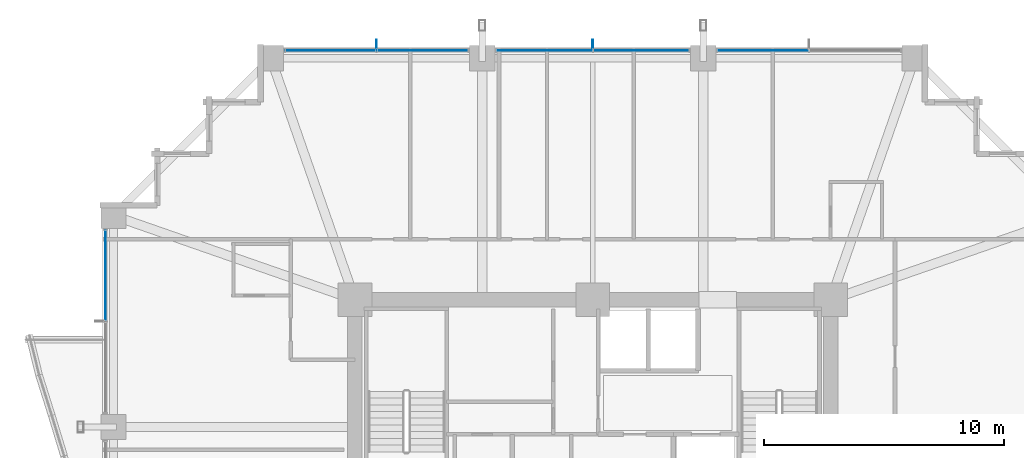
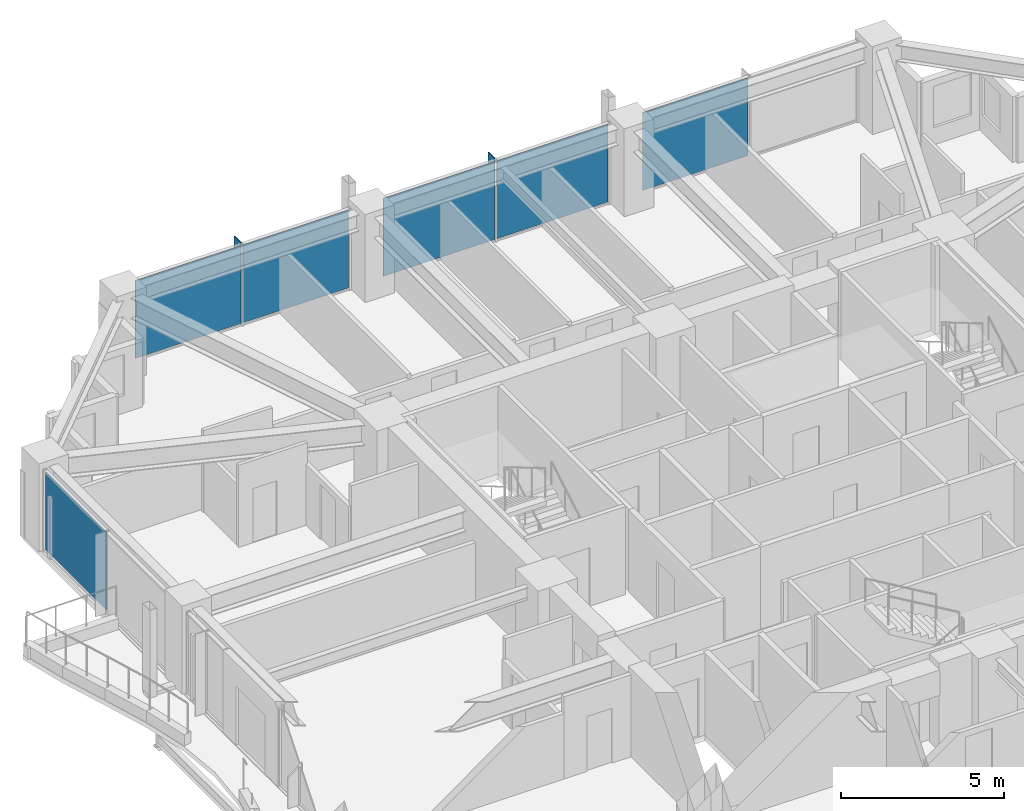
# One storey, part 29 of 37: 8 plates, 4 elements without a shape of their own.
"""IFC4 building model written with IfcOpenShell, lengths in metres."""

from ifc_helpers import new_model, si_unit, direction, frame, origin, origin_2d, place, context, subcontext, project, spatial, rectangle, extrude, material, layer, layer_set, type_object, element, aggregate, save


model = new_model("IFC4")

# Units and contexts
model_context = context("Model", 3, precision=1e-05, world=origin(), true_north=direction((0.0, 1.0)))
body_context = subcontext(model_context, "Body", "Model", "MODEL_VIEW")
ifc_project = project(units=[si_unit("LENGTHUNIT", "METRE"), si_unit("AREAUNIT", "SQUARE_METRE"), si_unit("VOLUMEUNIT", "CUBIC_METRE"), si_unit("PLANEANGLEUNIT", "RADIAN"), si_unit("MASSUNIT", "GRAM", prefix="KILO")], contexts=[model_context])

# Site, building, storey
site_placement = place(None, origin())
site = spatial("IfcSite", under=ifc_project, at=site_placement, CompositionType="ELEMENT")
building_placement = place(site_placement, origin())
building = spatial("IfcBuilding", under=site, at=building_placement, Name="Kolvaren Belvedere", CompositionType="ELEMENT")
storey_placement = place(building_placement, frame((0.0, 0.0, 82.10009765625)))
storey = spatial("IfcBuildingStorey", under=building, at=storey_placement, Name="L23", CompositionType="ELEMENT", Elevation=82.10009765625)

# Curtain wall, plates
ifc_material_1 = material(Name="Anodised pale-metal aluminium AA 6063-T6", Category="aluminium")
curtain_wall_type = type_object("IfcCurtainWallType", Name="CW-Z2-MID", PredefinedType="NOTDEFINED", material=ifc_material_1)
curtain_wall_1_placement = place(storey_placement, origin())
curtain_wall_1 = element("IfcCurtainWall", 1, at=curtain_wall_1_placement, inside=storey, type_object=curtain_wall_type, Name="L23 Unitised Curtain Wall FCW-L23-N-B1", PredefinedType="NOTDEFINED")
ifc_material_2 = material(Name="Low-iron triple insulated glass", Category="glass")
ifc_layer_1 = layer(ifc_material_2, 0.028076171875)
ifc_layer_set_1 = layer_set([ifc_layer_1], Name="Low-iron triple insulated glass")
plate_type_1 = type_object("IfcPlateType", Name="CW-PNL-VIS28", PredefinedType="CURTAIN_PANEL", material=ifc_layer_set_1)
plate_1_placement = place(storey_placement, frame((-10.9111328125, 20.280029296875, 0.079833984375), z_axis=(0.0, 0.0, 1.0), x_axis=(1.0, 0.0, 0.0)))
plate_1 = element("IfcPlate", 2, at=plate_1_placement, type_object=plate_type_1, Name="FCW-L23-N-B1 Vision Glazing Panel 1", PredefinedType="CURTAIN_PANEL", context=body_context, shape_type="SweptSolid", body=[
    extrude(rectangle(XDim=3.742431640625, YDim=0.028076171875, at=origin_2d()), origin(), (0.0, 0.0, 1.0), 2.919921875),
])
plate_2_placement = place(storey_placement, frame((-7.0888671875, 20.280029296875, 0.079833984375), z_axis=(0.0, 0.0, 1.0), x_axis=(1.0, 0.0, 0.0)))
plate_2 = element("IfcPlate", 3, at=plate_2_placement, type_object=plate_type_1, Name="FCW-L23-N-B1 Vision Glazing Panel 2", PredefinedType="CURTAIN_PANEL", context=body_context, shape_type="SweptSolid", body=[
    extrude(rectangle(XDim=3.742431640625, YDim=0.028076171875, at=origin_2d()), origin(), (0.0, 0.0, 1.0), 2.919921875),
])
aggregate(curtain_wall_1, [plate_1, plate_2])

curtain_wall_2_placement = place(storey_placement, origin())
curtain_wall_2 = element("IfcCurtainWall", 4, at=curtain_wall_2_placement, inside=storey, type_object=curtain_wall_type, Name="L23 Unitised Curtain Wall FCW-L23-N-B2", PredefinedType="NOTDEFINED")
plate_3_placement = place(storey_placement, frame((-2.01123046875, 20.280029296875, 0.079833984375), z_axis=(0.0, 0.0, 1.0), x_axis=(1.0, 0.0, 0.0)))
plate_3 = element("IfcPlate", 5, at=plate_3_placement, type_object=plate_type_1, Name="FCW-L23-N-B2 Vision Glazing Panel 1", PredefinedType="CURTAIN_PANEL", context=body_context, shape_type="SweptSolid", body=[
    extrude(rectangle(XDim=3.9423828125, YDim=0.028076171875, at=origin_2d()), origin(), (0.0, 0.0, 1.0), 2.919921875),
])
plate_4_placement = place(storey_placement, frame((2.01123046875, 20.280029296875, 0.079833984375), z_axis=(0.0, 0.0, 1.0), x_axis=(1.0, 0.0, 0.0)))
plate_4 = element("IfcPlate", 6, at=plate_4_placement, type_object=plate_type_1, Name="FCW-L23-N-B2 Vision Glazing Panel 2", PredefinedType="CURTAIN_PANEL", context=body_context, shape_type="SweptSolid", body=[
    extrude(rectangle(XDim=3.9423828125, YDim=0.028076171875, at=origin_2d()), origin(), (0.0, 0.0, 1.0), 2.919921875),
])
aggregate(curtain_wall_2, [plate_3, plate_4])

# Curtain wall, plate
curtain_wall_3_placement = place(storey_placement, origin())
curtain_wall_3 = element("IfcCurtainWall", 7, at=curtain_wall_3_placement, inside=storey, type_object=curtain_wall_type, Name="L23 Unitised Curtain Wall FCW-L23-N-B3", PredefinedType="NOTDEFINED")
plate_5_placement = place(storey_placement, frame((7.0888671875, 20.280029296875, 0.079833984375), z_axis=(0.0, 0.0, 1.0), x_axis=(1.0, 0.0, 0.0)))
plate_5 = element("IfcPlate", 8, at=plate_5_placement, type_object=plate_type_1, Name="FCW-L23-N-B3 Vision Glazing Panel 1", PredefinedType="CURTAIN_PANEL", context=body_context, shape_type="SweptSolid", body=[
    extrude(rectangle(XDim=3.742431640625, YDim=0.028076171875, at=origin_2d()), origin(), (0.0, 0.0, 1.0), 2.919921875),
])
aggregate(curtain_wall_3, [plate_5])

curtain_wall_4_placement = place(storey_placement, origin())
curtain_wall_4 = element("IfcCurtainWall", 9, at=curtain_wall_4_placement, inside=storey, type_object=curtain_wall_type, Name="L23 Unitised Curtain Wall FCW-L23-W2-B2", PredefinedType="NOTDEFINED")
plate_6_placement = place(storey_placement, frame((-20.280029296875, 10.9111328125, 0.079833984375), z_axis=(0.0, 0.0, 1.0), x_axis=(0.0, 1.0, 0.0)))
plate_6 = element("IfcPlate", 10, at=plate_6_placement, type_object=plate_type_1, Name="FCW-L23-W2-B2 Vision Glazing Panel 2", PredefinedType="CURTAIN_PANEL", context=body_context, shape_type="SweptSolid", body=[
    extrude(rectangle(XDim=3.742431640625, YDim=0.028076171875, at=origin_2d()), origin(), (0.0, 0.0, 1.0), 2.919921875),
])
aggregate(curtain_wall_4, [plate_6])

# Plates
ifc_material_3 = material(Name="Anodised pale-metal aluminium AA 6063-T6", Category="aluminium")
ifc_layer_2 = layer(ifc_material_3, 0.033935546875)
ifc_layer_set_2 = layer_set([ifc_layer_2], Name="Anodised pale-metal aluminium AA 6063-T6")
plate_type_2 = type_object("IfcPlateType", Name="FIN-VERT-380", PredefinedType="USERDEFINED", material=ifc_layer_set_2)
for number, where, z_axis, x_axis, name in (
    (11, (-9.0, 20.52490234375, -0.000244140625), (0.0, 0.0, 1.0), (0.0, 1.0, 0.0), "L23 Pale-Metal Vertical Shading Fin FCW-L23-N-B1-1"),
    (12, (0.0, 20.52490234375, -0.000244140625), (0.0, 0.0, 1.0), (0.0, 1.0, 0.0), "L23 Pale-Metal Vertical Shading Fin FCW-L23-N-B2-1"),
):
    element("IfcPlate", number, at=place(storey_placement, frame(where, z_axis=z_axis, x_axis=x_axis)), inside=storey, type_object=plate_type_2, Name=name, ObjectType="VERTICAL FIN", PredefinedType="USERDEFINED", context=body_context, shape_type="SweptSolid", body=[
        extrude(rectangle(XDim=0.3798828125, YDim=0.033935546875, at=origin_2d()), origin(), (0.0, 0.0, 1.0), 3.080078125),
    ])

save(model, "model.ifc")
